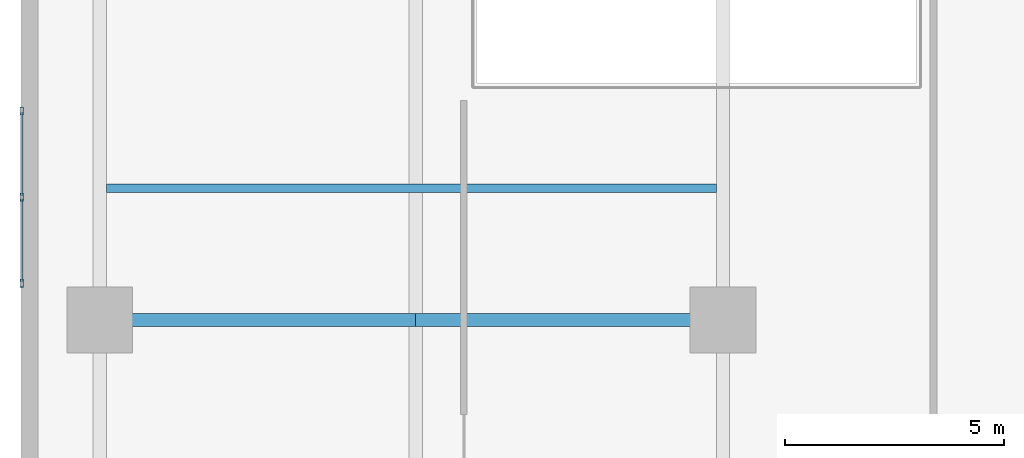
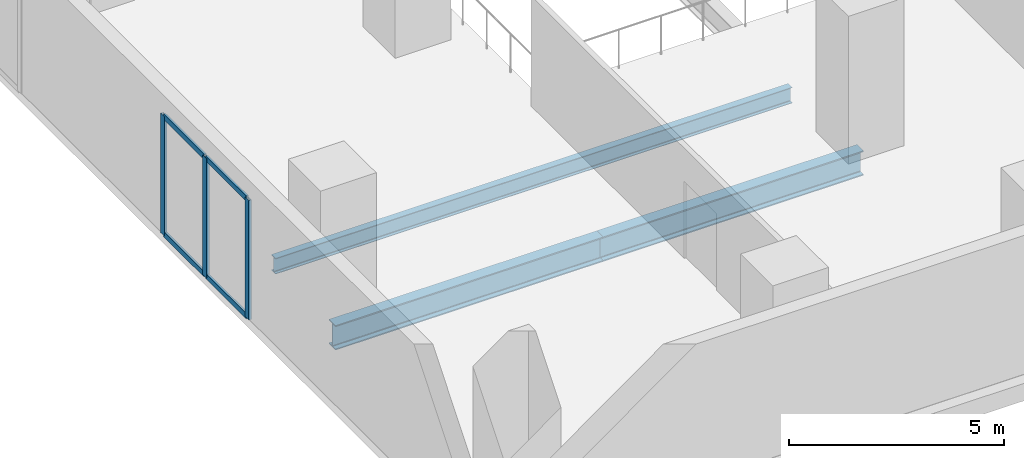
# One storey, part 2 of 14: 7 members, 3 beams, 1 element without a shape of its own.
"""IFC4 building model written with IfcOpenShell, lengths in metres."""

from ifc_helpers import new_model, si_unit, direction, frame, origin, origin_2d, place, context, subcontext, project, spatial, hollow_rectangle, i_section, extrude, material, material_profile, profile_set, type_object, element, aggregate, save


model = new_model("IFC4")

# Units and contexts
model_context = context("Model", 3, precision=1e-05, world=origin(), true_north=direction((0.0, 1.0)))
body_context = subcontext(model_context, "Body", "Model", "MODEL_VIEW")
ifc_project = project(units=[si_unit("LENGTHUNIT", "METRE"), si_unit("AREAUNIT", "SQUARE_METRE"), si_unit("VOLUMEUNIT", "CUBIC_METRE"), si_unit("PLANEANGLEUNIT", "RADIAN"), si_unit("MASSUNIT", "GRAM", prefix="KILO")], contexts=[model_context])

# Site, building, storey
site_placement = place(None, origin())
site = spatial("IfcSite", under=ifc_project, at=site_placement, CompositionType="ELEMENT")
building_placement = place(site_placement, origin())
building = spatial("IfcBuilding", under=site, at=building_placement, Name="Kuzgunbayir Cultural Tower", CompositionType="ELEMENT")
storey_placement = place(building_placement, frame((0.0, 0.0, 8.800048828125)))
storey = spatial("IfcBuildingStorey", under=building, at=storey_placement, Name="L02", CompositionType="ELEMENT", Elevation=8.800048828125)

# Beams
ifc_material_1 = material(Name="Steel S355J2", Category="steel")
ifc_material_profile_1 = material_profile(ifc_material_1, i_section(OverallWidth=0.300048828125, OverallDepth=0.699951171875, WebThickness=0.01708984375, FlangeThickness=0.031982421875, FilletRadius=0.027099609375, at=origin_2d()), Name="HEB 700")
ifc_profile_set_1 = profile_set([ifc_material_profile_1], Name="Steel S355J2")
beam_type_1 = type_object("IfcBeamType", Name="BM-GIR-HEB700", PredefinedType="BEAM", material=ifc_profile_set_1)
beam_1_placement = place(storey_placement, frame((5.39990234375, 12.60009765625, -0.60009765625), z_axis=(1.0, 0.0, 0.0), x_axis=(0.0, 1.0, 0.0)))
element("IfcBeam", 1, at=beam_1_placement, inside=storey, type_object=beam_type_1, Name="L02 Podium Primary Girder 1", PredefinedType="BEAM", context=body_context, shape_type="SweptSolid", body=[
    extrude(i_section(OverallWidth=0.300048828125, OverallDepth=0.699951171875, WebThickness=0.01708984375, FlangeThickness=0.031982421875, FilletRadius=0.027099609375, at=origin_2d()), origin(), (0.0, 0.0, 1.0), 7.2001953125),
])
beam_2_placement = place(storey_placement, frame((12.60009765625, 12.60009765625, -0.60009765625), z_axis=(1.0, 0.0, 0.0), x_axis=(0.0, 1.0, 0.0)))
element("IfcBeam", 2, at=beam_2_placement, inside=storey, type_object=beam_type_1, Name="L02 Podium Primary Girder 2", PredefinedType="BEAM", context=body_context, shape_type="SweptSolid", body=[
    extrude(i_section(OverallWidth=0.300048828125, OverallDepth=0.699951171875, WebThickness=0.01708984375, FlangeThickness=0.031982421875, FilletRadius=0.027099609375, at=origin_2d()), origin(), (0.0, 0.0, 1.0), 7.0),
])
ifc_material_profile_2 = material_profile(ifc_material_1, i_section(OverallWidth=0.18994140625, OverallDepth=0.449951171875, WebThickness=0.009521484375, FlangeThickness=0.0146484375, FilletRadius=0.02099609375, at=origin_2d()), Name="IPE 450")
ifc_profile_set_2 = profile_set([ifc_material_profile_2], Name="Steel S355J2")
beam_type_2 = type_object("IfcBeamType", Name="BM-JST-IPE450", PredefinedType="JOIST", material=ifc_profile_set_2)
beam_3_placement = place(storey_placement, frame((5.550048828125, 15.60009765625, -0.469970703125), z_axis=(1.0, 0.0, 0.0), x_axis=(0.0, 1.0, 0.0)))
element("IfcBeam", 3, at=beam_3_placement, inside=storey, type_object=beam_type_2, Name="L02 Podium Joist A", PredefinedType="JOIST", context=body_context, shape_type="SweptSolid", body=[
    extrude(i_section(OverallWidth=0.18994140625, OverallDepth=0.449951171875, WebThickness=0.009521484375, FlangeThickness=0.0146484375, FilletRadius=0.02099609375, at=origin_2d()), origin(), (0.0, 0.0, 1.0), 13.89990234375),
])

# Curtain wall, members
ifc_material_2 = material(Name="Anodised Aluminium Framing", Category="aluminium")
curtain_wall_type = type_object("IfcCurtainWallType", Name="CW01-POD-FOYER", PredefinedType="NOTDEFINED", material=ifc_material_2)
curtain_wall_placement = place(storey_placement, origin())
curtain_wall = element("IfcCurtainWall", 4, at=curtain_wall_placement, inside=storey, type_object=curtain_wall_type, Name="L02 Civic Foyer Curtain Wall South", PredefinedType="NOTDEFINED")
ifc_material_profile_3 = material_profile(ifc_material_2, hollow_rectangle(XDim=0.074951171875, YDim=0.179931640625, WallThickness=0.0048828125, at=origin_2d()), Name="RHS 180x75x5")
ifc_profile_set_3 = profile_set([ifc_material_profile_3], Name="Anodised Aluminium Framing")
member_type_1 = type_object("IfcMemberType", Name="MEM-CW-MULLION-180", PredefinedType="MULLION", material=ifc_profile_set_3)
member_1_placement = place(storey_placement, frame((3.6201171875, 13.4375, 0.0), z_axis=(0.0, 0.0, 1.0), x_axis=(-1.0, 0.0, 0.0)))
member_1 = element("IfcMember", 5, at=member_1_placement, type_object=member_type_1, Name="CW01 mullion 1", PredefinedType="MULLION", context=body_context, shape_type="SweptSolid", body=[
    extrude(hollow_rectangle(XDim=0.074951171875, YDim=0.179931640625, WallThickness=0.0048828125, at=origin_2d()), origin(), (0.0, 0.0, 1.0), 3.39990234375),
])
member_2_placement = place(storey_placement, frame((3.6201171875, 15.39990234375, 0.0), z_axis=(0.0, 0.0, 1.0), x_axis=(-1.0, 0.0, 0.0)))
member_2 = element("IfcMember", 6, at=member_2_placement, type_object=member_type_1, Name="CW01 mullion 2", PredefinedType="MULLION", context=body_context, shape_type="SweptSolid", body=[
    extrude(hollow_rectangle(XDim=0.074951171875, YDim=0.179931640625, WallThickness=0.0048828125, at=origin_2d()), origin(), (0.0, 0.0, 1.0), 3.39990234375),
])
member_3_placement = place(storey_placement, frame((3.6201171875, 17.362548828125, 0.0), z_axis=(0.0, 0.0, 1.0), x_axis=(-1.0, 0.0, 0.0)))
member_3 = element("IfcMember", 7, at=member_3_placement, type_object=member_type_1, Name="CW01 mullion 3", PredefinedType="MULLION", context=body_context, shape_type="SweptSolid", body=[
    extrude(hollow_rectangle(XDim=0.074951171875, YDim=0.179931640625, WallThickness=0.0048828125, at=origin_2d()), origin(), (0.0, 0.0, 1.0), 3.39990234375),
])
ifc_material_profile_4 = material_profile(ifc_material_2, hollow_rectangle(XDim=0.06005859375, YDim=0.14990234375, WallThickness=0.00390625, at=origin_2d()), Name="RHS 150x60x4")
ifc_profile_set_4 = profile_set([ifc_material_profile_4], Name="Anodised Aluminium Framing")
member_type_2 = type_object("IfcMemberType", Name="MEM-CW-TRANSOM-150", PredefinedType="USERDEFINED", material=ifc_profile_set_4)
member_4_placement = place(storey_placement, frame((3.6201171875, 13.47509765625, 0.030029296875), z_axis=(0.0, 1.0, 0.0), x_axis=(-1.0, 0.0, 0.0)))
member_4 = element("IfcMember", 8, at=member_4_placement, type_object=member_type_2, Name="CW01 transom 1.1", ObjectType="TRANSOM", PredefinedType="USERDEFINED", context=body_context, shape_type="SweptSolid", body=[
    extrude(hollow_rectangle(XDim=0.06005859375, YDim=0.14990234375, WallThickness=0.00390625, at=origin_2d()), origin(), (0.0, 0.0, 1.0), 1.887451171875),
])
member_5_placement = place(storey_placement, frame((3.6201171875, 13.47509765625, 3.369873046875), z_axis=(0.0, 1.0, 0.0), x_axis=(-1.0, 0.0, 0.0)))
member_5 = element("IfcMember", 9, at=member_5_placement, type_object=member_type_2, Name="CW01 transom 1.2", ObjectType="TRANSOM", PredefinedType="USERDEFINED", context=body_context, shape_type="SweptSolid", body=[
    extrude(hollow_rectangle(XDim=0.06005859375, YDim=0.14990234375, WallThickness=0.00390625, at=origin_2d()), origin(), (0.0, 0.0, 1.0), 1.887451171875),
])
member_6_placement = place(storey_placement, frame((3.6201171875, 15.4375, 0.030029296875), z_axis=(0.0, 1.0, 0.0), x_axis=(-1.0, 0.0, 0.0)))
member_6 = element("IfcMember", 10, at=member_6_placement, type_object=member_type_2, Name="CW01 transom 2.1", ObjectType="TRANSOM", PredefinedType="USERDEFINED", context=body_context, shape_type="SweptSolid", body=[
    extrude(hollow_rectangle(XDim=0.06005859375, YDim=0.14990234375, WallThickness=0.00390625, at=origin_2d()), origin(), (0.0, 0.0, 1.0), 1.887451171875),
])
member_7_placement = place(storey_placement, frame((3.6201171875, 15.4375, 3.369873046875), z_axis=(0.0, 1.0, 0.0), x_axis=(-1.0, 0.0, 0.0)))
member_7 = element("IfcMember", 11, at=member_7_placement, type_object=member_type_2, Name="CW01 transom 2.2", ObjectType="TRANSOM", PredefinedType="USERDEFINED", context=body_context, shape_type="SweptSolid", body=[
    extrude(hollow_rectangle(XDim=0.06005859375, YDim=0.14990234375, WallThickness=0.00390625, at=origin_2d()), origin(), (0.0, 0.0, 1.0), 1.887451171875),
])
aggregate(curtain_wall, [member_1, member_2, member_3, member_4, member_5, member_6, member_7])

save(model, "model.ifc")
